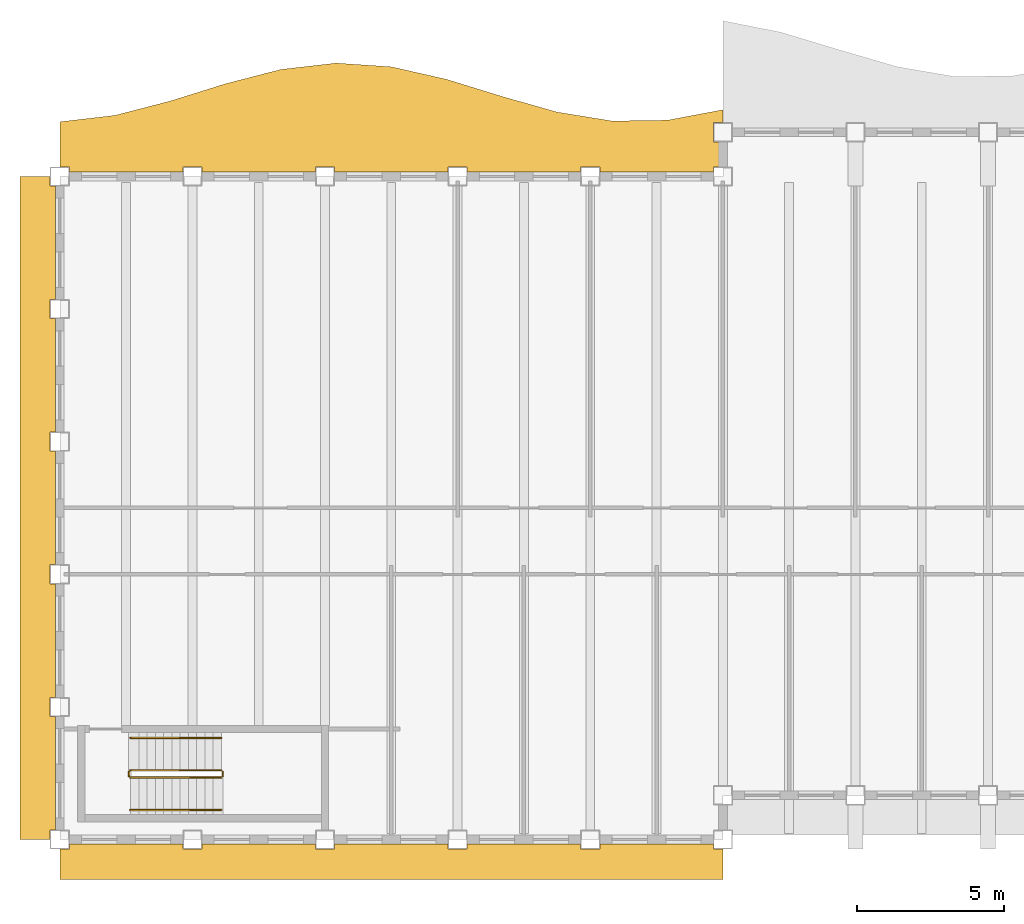
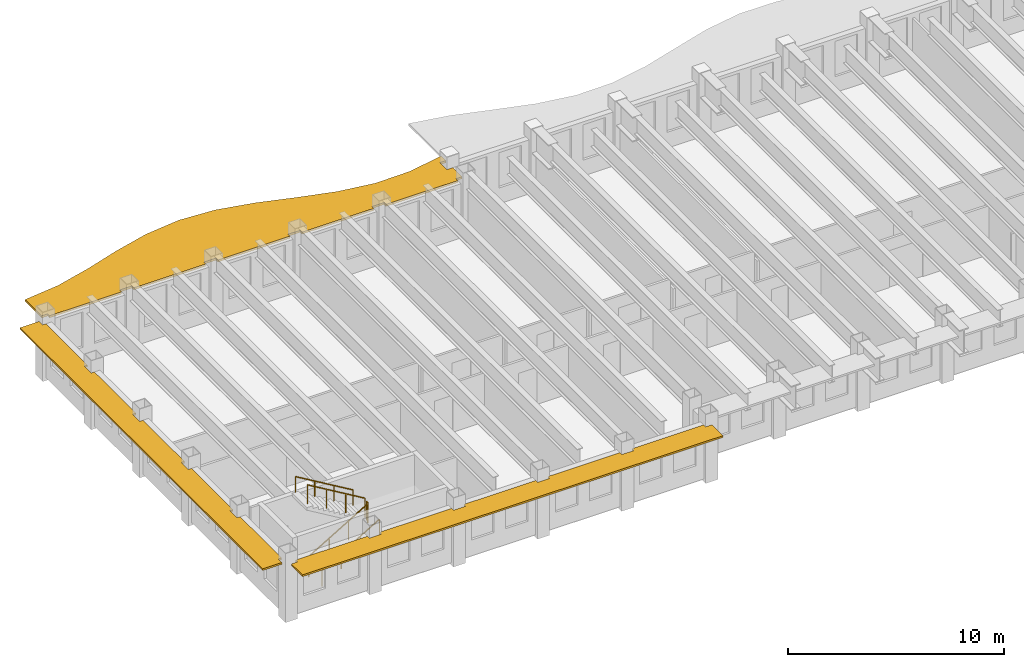
# One storey, part 8 of 12: 6 railings, 3 shading devices.
"""IFC4 building model written with IfcOpenShell, lengths in metres."""

from ifc_helpers import new_model, si_unit, direction, frame, origin, origin_2d, place, context, subcontext, project, spatial, polyline, rectangle, outline, extrude, material, layer, layer_set, type_object, element, save


model = new_model("IFC4")

# Units and contexts
model_context = context("Model", 3, precision=1e-05, world=origin(), true_north=direction((0.0, 1.0)))
body_context = subcontext(model_context, "Body", "Model", "MODEL_VIEW")
ifc_project = project(units=[si_unit("LENGTHUNIT", "METRE"), si_unit("AREAUNIT", "SQUARE_METRE"), si_unit("VOLUMEUNIT", "CUBIC_METRE"), si_unit("PLANEANGLEUNIT", "RADIAN"), si_unit("MASSUNIT", "GRAM", prefix="KILO")], contexts=[model_context])

# Site, building, storey
site_placement = place(None, origin())
site = spatial("IfcSite", under=ifc_project, at=site_placement, CompositionType="ELEMENT")
building_placement = place(site_placement, origin())
building = spatial("IfcBuilding", under=site, at=building_placement, Name="Sennacour Bend Tower", CompositionType="ELEMENT")
storey_placement = place(building_placement, frame((0.0, 0.0, 293.0)))
storey = spatial("IfcBuildingStorey", under=building, at=storey_placement, Name="L68", CompositionType="ELEMENT", Elevation=293.0)

# Railings
ifc_material_1 = material(Name="Stainless steel", Category="steel")
railing_type_1 = type_object("IfcRailingType", Name="RL-GUARD-1100", PredefinedType="GUARDRAIL", material=ifc_material_1)
railing_1_placement = place(storey_placement, frame((2.39990234375, 2.10009765625, 0.166748046875)))
element("IfcRailing", 1, at=railing_1_placement, inside=storey, type_object=railing_type_1, Name="L68 SK1 stair guard 1", PredefinedType="GUARDRAIL", context=body_context, shape_type="SweptSolid", body=[
    extrude(rectangle(XDim=0.048095703125, YDim=0.048095703125, at=origin_2d()), frame((0.0, 0.0, 1.076171875), z_axis=(0.859308565015, 0.0, 0.511457515432), x_axis=(0.0, 1.0, 0.0)), (0.0, 0.0, 1.0), 3.58447265625),
    extrude(rectangle(XDim=0.0419921875, YDim=0.0419921875, at=origin_2d()), origin(), (0.0, 0.0, 1.0), 1.052001953125),
    extrude(rectangle(XDim=0.0419921875, YDim=0.0419921875, at=origin_2d()), frame((1.026611328125, 0.0, 0.611083984375)), (0.0, 0.0, 1.0), 1.052001953125),
    extrude(rectangle(XDim=0.0419921875, YDim=0.0419921875, at=origin_2d()), frame((2.053466796875, 0.0, 1.22216796875)), (0.0, 0.0, 1.0), 1.052001953125),
    extrude(rectangle(XDim=0.0419921875, YDim=0.0419921875, at=origin_2d()), frame((3.080078125, 0.0, 1.833251953125)), (0.0, 0.0, 1.0), 1.052001953125),
])
railing_2_placement = place(storey_placement, frame((5.530029296875, 2.14990234375, 2.0)))
element("IfcRailing", 2, at=railing_2_placement, inside=storey, type_object=railing_type_1, Name="L68 SK1 stair guard 2", PredefinedType="GUARDRAIL", context=body_context, shape_type="SweptSolid", body=[
    extrude(rectangle(XDim=0.048095703125, YDim=0.048095703125, at=origin_2d()), frame((0.0, 0.0, 1.076171875), z_axis=(0.0, 1.0, 0.0), x_axis=(-1.0, 0.0, 0.0)), (0.0, 0.0, 1.0), 0.150146484375),
    extrude(rectangle(XDim=0.0419921875, YDim=0.0419921875, at=origin_2d()), origin(), (0.0, 0.0, 1.0), 1.052001953125),
    extrude(rectangle(XDim=0.0419921875, YDim=0.0419921875, at=origin_2d()), frame((0.0, 0.150146484375, 0.0)), (0.0, 0.0, 1.0), 1.052001953125),
])
railing_3_placement = place(storey_placement, frame((5.47998046875, 2.35009765625, 2.166748046875)))
element("IfcRailing", 3, at=railing_3_placement, inside=storey, type_object=railing_type_1, Name="L68 SK1 stair guard 3", PredefinedType="GUARDRAIL", context=body_context, shape_type="SweptSolid", body=[
    extrude(rectangle(XDim=0.048095703125, YDim=0.048095703125, at=origin_2d()), frame((0.0, 0.0, 1.076171875), z_axis=(-0.859308565015, 0.0, 0.511457515432), x_axis=(0.0, -1.0, 0.0)), (0.0, 0.0, 1.0), 3.58447265625),
    extrude(rectangle(XDim=0.0419921875, YDim=0.0419921875, at=origin_2d()), origin(), (0.0, 0.0, 1.0), 1.052001953125),
    extrude(rectangle(XDim=0.0419921875, YDim=0.0419921875, at=origin_2d()), frame((-1.026611328125, 0.0, 0.611083984375)), (0.0, 0.0, 1.0), 1.052001953125),
    extrude(rectangle(XDim=0.0419921875, YDim=0.0419921875, at=origin_2d()), frame((-2.053466796875, 0.0, 1.22216796875)), (0.0, 0.0, 1.0), 1.052001953125),
    extrude(rectangle(XDim=0.0419921875, YDim=0.0419921875, at=origin_2d()), frame((-3.080078125, 0.0, 1.833251953125)), (0.0, 0.0, 1.0), 1.052001953125),
])
railing_4_placement = place(storey_placement, frame((2.35009765625, 2.14990234375, 0.0)))
element("IfcRailing", 4, at=railing_4_placement, inside=storey, type_object=railing_type_1, Name="L68 SK1 stair guard 4", PredefinedType="GUARDRAIL", context=body_context, shape_type="SweptSolid", body=[
    extrude(rectangle(XDim=0.048095703125, YDim=0.048095703125, at=origin_2d()), frame((0.0, 0.0, 1.076171875), z_axis=(0.0, 1.0, 0.0), x_axis=(-1.0, 0.0, 0.0)), (0.0, 0.0, 1.0), 0.150146484375),
    extrude(rectangle(XDim=0.0419921875, YDim=0.0419921875, at=origin_2d()), origin(), (0.0, 0.0, 1.0), 1.052001953125),
    extrude(rectangle(XDim=0.0419921875, YDim=0.0419921875, at=origin_2d()), frame((0.0, 0.150146484375, 0.0)), (0.0, 0.0, 1.0), 1.052001953125),
])
railing_type_2 = type_object("IfcRailingType", Name="RL-HANDRAIL-900", PredefinedType="HANDRAIL", material=ifc_material_1)
railing_5_placement = place(storey_placement, frame((2.39990234375, 1.0, 0.166748046875)))
element("IfcRailing", 5, at=railing_5_placement, inside=storey, type_object=railing_type_2, Name="L68 SK1 stair handrail 1", PredefinedType="HANDRAIL", context=body_context, shape_type="SweptSolid", body=[
    extrude(rectangle(XDim=0.048095703125, YDim=0.048095703125, at=origin_2d()), frame((0.0, 0.0, 0.8759765625), z_axis=(0.859308565015, 0.0, 0.511457515432), x_axis=(0.0, 1.0, 0.0)), (0.0, 0.0, 1.0), 3.58447265625),
    extrude(rectangle(XDim=0.0419921875, YDim=0.0419921875, at=origin_2d()), origin(), (0.0, 0.0, 1.0), 0.851806640625),
    extrude(rectangle(XDim=0.0419921875, YDim=0.0419921875, at=origin_2d()), frame((1.026611328125, 0.0, 0.611083984375)), (0.0, 0.0, 1.0), 0.851806640625),
    extrude(rectangle(XDim=0.0419921875, YDim=0.0419921875, at=origin_2d()), frame((2.053466796875, 0.0, 1.22216796875)), (0.0, 0.0, 1.0), 0.851806640625),
    extrude(rectangle(XDim=0.0419921875, YDim=0.0419921875, at=origin_2d()), frame((3.080078125, 0.0, 1.833251953125)), (0.0, 0.0, 1.0), 0.851806640625),
])
railing_6_placement = place(storey_placement, frame((5.47998046875, 3.449951171875, 2.166748046875)))
element("IfcRailing", 6, at=railing_6_placement, inside=storey, type_object=railing_type_2, Name="L68 SK1 stair handrail 2", PredefinedType="HANDRAIL", context=body_context, shape_type="SweptSolid", body=[
    extrude(rectangle(XDim=0.048095703125, YDim=0.048095703125, at=origin_2d()), frame((0.0, 0.0, 0.8759765625), z_axis=(-0.859308565015, 0.0, 0.511457515432), x_axis=(0.0, -1.0, 0.0)), (0.0, 0.0, 1.0), 3.58447265625),
    extrude(rectangle(XDim=0.0419921875, YDim=0.0419921875, at=origin_2d()), origin(), (0.0, 0.0, 1.0), 0.851806640625),
    extrude(rectangle(XDim=0.0419921875, YDim=0.0419921875, at=origin_2d()), frame((-1.026611328125, 0.0, 0.611083984375)), (0.0, 0.0, 1.0), 0.851806640625),
    extrude(rectangle(XDim=0.0419921875, YDim=0.0419921875, at=origin_2d()), frame((-2.053466796875, 0.0, 1.22216796875)), (0.0, 0.0, 1.0), 0.851806640625),
    extrude(rectangle(XDim=0.0419921875, YDim=0.0419921875, at=origin_2d()), frame((-3.080078125, 0.0, 1.833251953125)), (0.0, 0.0, 1.0), 0.851806640625),
])

# Shading devices
ifc_material_2 = material(Name="Bronze anodised aluminium", Category="aluminium")
ifc_layer_1 = layer(ifc_material_2, 0.10009765625, Name="Bronze anodised aluminium", Category="aluminium")
ifc_layer_set_1 = layer_set([ifc_layer_1], Name="Bronze anodised aluminium")
shading_device_type_1 = type_object("IfcShadingDeviceType", Name="SUNSHADE BAND STRAIGHT", PredefinedType="USERDEFINED", material=ifc_layer_set_1)
shading_device_1_placement = place(storey_placement, frame((0.0, 0.0, 2.9619140625)))
element("IfcShadingDevice", 7, at=shading_device_1_placement, inside=storey, type_object=shading_device_type_1, Name="Sunshade band L68 K outer face", ObjectType="SUNSHADE", PredefinedType="USERDEFINED", context=body_context, shape_type="SweptSolid", body=[
    extrude(outline(polyline([(-0.14990234375, 18.324951171875), (-0.324951171875, 18.324951171875), (-0.324951171875, 17.675048828125), (-0.14990234375, 17.675048828125), (-0.14990234375, 13.824951171875), (-0.324951171875, 13.824951171875), (-0.324951171875, 13.175048828125), (-0.14990234375, 13.175048828125), (-0.14990234375, 9.324951171875), (-0.324951171875, 9.324951171875), (-0.324951171875, 8.675048828125), (-0.14990234375, 8.675048828125), (-0.14990234375, 4.824951171875), (-0.324951171875, 4.824951171875), (-0.324951171875, 4.175048828125), (-0.14990234375, 4.175048828125), (-0.14990234375, 0.324951171875), (-0.324951171875, 0.324951171875), (-0.324951171875, 0.0), (-1.35009765625, 0.0), (-1.35009765625, 22.5), (-0.324951171875, 22.5), (-0.324951171875, 22.175048828125), (-0.14990234375, 22.175048828125), (-0.14990234375, 18.324951171875)])), origin(), (0.0, 0.0, 1.0), 0.10009765625),
])
shading_device_2_placement = place(storey_placement, frame((0.0, 0.0, 2.9619140625)))
element("IfcShadingDevice", 8, at=shading_device_2_placement, inside=storey, type_object=shading_device_type_1, Name="Sunshade band L68 K outer face", ObjectType="SUNSHADE", PredefinedType="USERDEFINED", context=body_context, shape_type="SweptSolid", body=[
    extrude(outline(polyline([(4.175048828125, -0.14990234375), (4.175048828125, -0.324951171875), (4.824951171875, -0.324951171875), (4.824951171875, -0.14990234375), (8.675048828125, -0.14990234375), (8.675048828125, -0.324951171875), (9.324951171875, -0.324951171875), (9.324951171875, -0.14990234375), (13.175048828125, -0.14990234375), (13.175048828125, -0.324951171875), (13.824951171875, -0.324951171875), (13.824951171875, -0.14990234375), (17.675048828125, -0.14990234375), (17.675048828125, -0.324951171875), (18.324951171875, -0.324951171875), (18.324951171875, -0.14990234375), (22.175048828125, -0.14990234375), (22.175048828125, -0.324951171875), (22.5, -0.324951171875), (22.5, -1.35009765625), (0.0, -1.35009765625), (0.0, -0.324951171875), (0.324951171875, -0.324951171875), (0.324951171875, -0.14990234375), (4.175048828125, -0.14990234375)])), origin(), (0.0, 0.0, 1.0), 0.10009765625),
])
ifc_layer_2 = layer(ifc_material_2, 0.1201171875, Name="Bronze anodised aluminium", Category="aluminium")
ifc_layer_set_2 = layer_set([ifc_layer_2], Name="Bronze anodised aluminium")
shading_device_type_2 = type_object("IfcShadingDeviceType", Name="SUNSHADE BAND WAVE", PredefinedType="USERDEFINED", material=ifc_layer_set_2)
shading_device_3_placement = place(storey_placement, frame((0.0, 0.0, 2.94189453125)))
element("IfcShadingDevice", 9, at=shading_device_3_placement, inside=storey, type_object=shading_device_type_2, Name="Sunshade band L68 concave faces", ObjectType="SUNSHADE", PredefinedType="USERDEFINED", context=body_context, shape_type="SweptSolid", body=[
    extrude(outline(polyline([(22.175048828125, 22.64990234375), (18.324951171875, 22.64990234375), (18.324951171875, 22.824951171875), (17.675048828125, 22.824951171875), (17.675048828125, 22.64990234375), (13.824951171875, 22.64990234375), (13.824951171875, 22.824951171875), (13.175048828125, 22.824951171875), (13.175048828125, 22.64990234375), (9.324951171875, 22.64990234375), (9.324951171875, 22.824951171875), (8.675048828125, 22.824951171875), (8.675048828125, 22.64990234375), (4.824951171875, 22.64990234375), (4.824951171875, 22.824951171875), (4.175048828125, 22.824951171875), (4.175048828125, 22.64990234375), (0.324951171875, 22.64990234375), (0.324951171875, 22.824951171875), (0.0, 22.824951171875), (0.0, 24.353759765625), (1.875, 24.572998046875), (3.75, 25.05908203125), (5.625, 25.6455078125), (7.5, 26.130126953125), (9.375, 26.3466796875), (11.25, 26.220703125), (13.125, 25.79541015625), (15.0, 25.217041015625), (16.875, 24.684326171875), (18.75, 24.380615234375), (20.625, 24.409912109375), (22.5, 24.76220703125), (22.5, 24.324951171875), (22.175048828125, 24.324951171875), (22.175048828125, 23.675048828125), (22.5, 23.675048828125), (22.5, 22.824951171875), (22.175048828125, 22.824951171875), (22.175048828125, 22.64990234375)])), origin(), (0.0, 0.0, 1.0), 0.1201171875),
])

save(model, "model.ifc")
